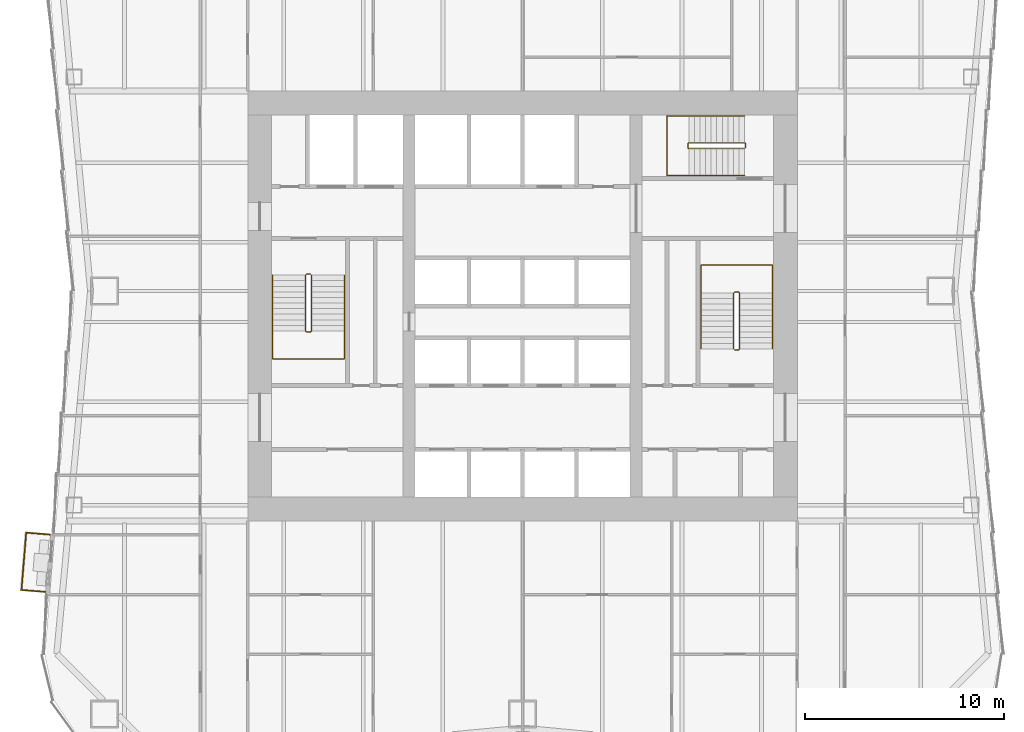
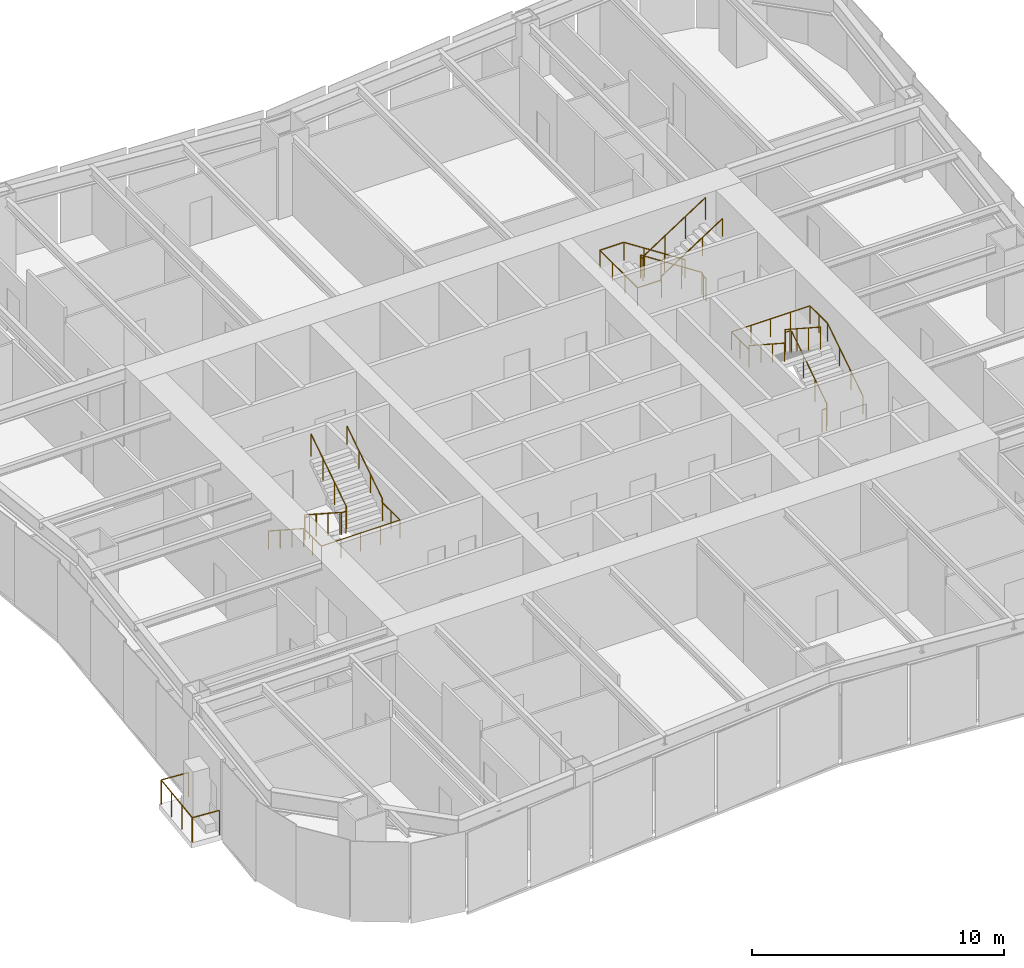
# One storey, part 8 of 9: 7 railings.
"""IFC4 building model written with IfcOpenShell, lengths in metres."""

from ifc_helpers import new_model, si_unit, direction, frame, origin, origin_2d, place, context, subcontext, project, spatial, circle, extrude, material, type_object, element, save


model = new_model("IFC4")

# Units and contexts
model_context = context("Model", 3, precision=1e-05, world=origin(), true_north=direction((0.0, 1.0)))
body_context = subcontext(model_context, "Body", "Model", "MODEL_VIEW")
ifc_project = project(units=[si_unit("LENGTHUNIT", "METRE"), si_unit("AREAUNIT", "SQUARE_METRE"), si_unit("VOLUMEUNIT", "CUBIC_METRE"), si_unit("PLANEANGLEUNIT", "RADIAN"), si_unit("MASSUNIT", "GRAM", prefix="KILO")], contexts=[model_context])

# Site, building, storey
site_placement = place(None, origin())
site = spatial("IfcSite", under=ifc_project, at=site_placement, CompositionType="ELEMENT")
building_placement = place(site_placement, origin())
building = spatial("IfcBuilding", under=site, at=building_placement, Name="Verdant Reach Tower", CompositionType="ELEMENT")
storey_placement = place(building_placement, frame((0.0, 0.0, 102.0)))
storey = spatial("IfcBuildingStorey", under=building, at=storey_placement, Name="L23", CompositionType="ELEMENT", Elevation=102.0)

# Railings
ifc_material_1 = material(Name="Stainless steel", Category="steel")
railing_type_1 = type_object("IfcRailingType", Name="CO-GUARD", PredefinedType="GUARDRAIL", material=ifc_material_1)
railing_1_placement = place(storey_placement, frame((-10.64990234375, 29.60009765625, 0.0)))
element("IfcRailing", 1, at=railing_1_placement, inside=storey, type_object=railing_type_1, Name="L23 ST-1 stair guard 1", PredefinedType="GUARDRAIL", context=body_context, shape_type="SweptSolid", body=[
    extrude(circle(Radius=0.02392578125, at=origin_2d()), frame((0.0, 0.0, 1.076171875), z_axis=(-1.0, 0.0, 0.0), x_axis=(0.0, -1.0, 0.0)), (0.0, 0.0, 1.0), 0.2001953125),
    extrude(circle(Radius=0.02392578125, at=origin_2d()), frame((-0.2001953125, 0.0, 1.076171875), z_axis=(-0.25526617399, -0.256517478764, 0.932222056972), x_axis=(0.708833529934, -0.705375805398, 0.0)), (0.0, 0.0, 1.0), 0.195068359375),
    extrude(circle(Radius=0.02392578125, at=origin_2d()), frame((-0.25, -0.050048828125, 1.2578125), z_axis=(0.0, -0.838705829183, 0.544584733623), x_axis=(1.0, 0.0, 0.0)), (0.0, 0.0, 1.0), 3.338623046875),
    extrude(circle(Radius=0.02392578125, at=origin_2d()), frame((-0.25, -2.85009765625, 3.076171875), z_axis=(0.705375805398, -0.708833529934, 0.0), x_axis=(0.708833529934, 0.705375805398, 0.0)), (0.0, 0.0, 1.0), 0.070556640625),
    extrude(circle(Radius=0.02392578125, at=origin_2d()), frame((-0.2001953125, -2.900146484375, 3.076171875), z_axis=(1.0, 0.0, 0.0), x_axis=(0.0, 1.0, 0.0)), (0.0, 0.0, 1.0), 0.2001953125),
    extrude(circle(Radius=0.02392578125, at=origin_2d()), frame((0.0, -2.900146484375, 3.076171875), z_axis=(0.25526617399, 0.256517478764, 0.932222056972), x_axis=(-0.708833529934, 0.705375805398, 0.0)), (0.0, 0.0, 1.0), 0.195068359375),
    extrude(circle(Radius=0.02392578125, at=origin_2d()), frame((0.0498046875, -2.85009765625, 3.2578125), z_axis=(0.0, 0.838705829183, 0.544584733623), x_axis=(-1.0, 0.0, 0.0)), (0.0, 0.0, 1.0), 3.338623046875),
    extrude(circle(Radius=0.02099609375, at=origin_2d()), origin(), (0.0, 0.0, 1.0), 1.052001953125),
    extrude(circle(Radius=0.02099609375, at=origin_2d()), frame((-0.2001953125, 0.0, 0.0)), (0.0, 0.0, 1.0), 1.052001953125),
    extrude(circle(Radius=0.02099609375, at=origin_2d()), frame((-0.25, -0.050048828125, 0.181884765625)), (0.0, 0.0, 1.0), 1.052001953125),
    extrude(circle(Radius=0.02099609375, at=origin_2d()), frame((-0.25, -0.9833984375, 0.787841796875)), (0.0, 0.0, 1.0), 1.052001953125),
    extrude(circle(Radius=0.02099609375, at=origin_2d()), frame((-0.25, -1.916748046875, 1.39404296875)), (0.0, 0.0, 1.0), 1.052001953125),
    extrude(circle(Radius=0.02099609375, at=origin_2d()), frame((-0.25, -2.85009765625, 2.0)), (0.0, 0.0, 1.0), 1.052001953125),
    extrude(circle(Radius=0.02099609375, at=origin_2d()), frame((-0.2001953125, -2.900146484375, 2.0)), (0.0, 0.0, 1.0), 1.052001953125),
    extrude(circle(Radius=0.02099609375, at=origin_2d()), frame((0.0, -2.900146484375, 2.0)), (0.0, 0.0, 1.0), 1.052001953125),
    extrude(circle(Radius=0.02099609375, at=origin_2d()), frame((0.0498046875, -2.85009765625, 2.181884765625)), (0.0, 0.0, 1.0), 1.052001953125),
    extrude(circle(Radius=0.02099609375, at=origin_2d()), frame((0.0498046875, -1.916748046875, 2.787841796875)), (0.0, 0.0, 1.0), 1.052001953125),
    extrude(circle(Radius=0.02099609375, at=origin_2d()), frame((0.0498046875, -0.9833984375, 3.39404296875)), (0.0, 0.0, 1.0), 1.052001953125),
    extrude(circle(Radius=0.02099609375, at=origin_2d()), frame((0.0498046875, -0.050048828125, 4.0)), (0.0, 0.0, 1.0), 1.052001953125),
])
railing_2_placement = place(storey_placement, frame((10.64990234375, 25.800048828125, 0.0)))
element("IfcRailing", 2, at=railing_2_placement, inside=storey, type_object=railing_type_1, Name="L23 ST-2 stair guard 1", PredefinedType="GUARDRAIL", context=body_context, shape_type="SweptSolid", body=[
    extrude(circle(Radius=0.02392578125, at=origin_2d()), frame((0.0, 0.0, 1.076171875), z_axis=(1.0, 0.0, 0.0), x_axis=(0.0, 1.0, 0.0)), (0.0, 0.0, 1.0), 0.2001953125),
    extrude(circle(Radius=0.02392578125, at=origin_2d()), frame((0.2001953125, 0.0, 1.076171875), z_axis=(0.25526617399, 0.256517478764, 0.932222056972), x_axis=(-0.708833529934, 0.705375805398, 0.0)), (0.0, 0.0, 1.0), 0.195068359375),
    extrude(circle(Radius=0.02392578125, at=origin_2d()), frame((0.25, 0.050048828125, 1.2578125), z_axis=(0.0, 0.83868413941, 0.544618136222), x_axis=(-1.0, 0.0, 0.0)), (0.0, 0.0, 1.0), 3.33837890625),
    extrude(circle(Radius=0.02392578125, at=origin_2d()), frame((0.25, 2.849853515625, 3.076171875), z_axis=(-0.705375805398, 0.708833529934, 0.0), x_axis=(-0.708833529934, -0.705375805398, 0.0)), (0.0, 0.0, 1.0), 0.070556640625),
    extrude(circle(Radius=0.02392578125, at=origin_2d()), frame((0.2001953125, 2.89990234375, 3.076171875), z_axis=(-1.0, 0.0, 0.0), x_axis=(0.0, -1.0, 0.0)), (0.0, 0.0, 1.0), 0.2001953125),
    extrude(circle(Radius=0.02392578125, at=origin_2d()), frame((0.0, 2.89990234375, 3.076171875), z_axis=(-0.25526617399, -0.256517478764, 0.932222056972), x_axis=(0.708833529934, -0.705375805398, 0.0)), (0.0, 0.0, 1.0), 0.195068359375),
    extrude(circle(Radius=0.02392578125, at=origin_2d()), frame((-0.0498046875, 2.849853515625, 3.2578125), z_axis=(0.0, -0.83868413941, 0.544618136222), x_axis=(1.0, 0.0, 0.0)), (0.0, 0.0, 1.0), 3.33837890625),
    extrude(circle(Radius=0.02099609375, at=origin_2d()), origin(), (0.0, 0.0, 1.0), 1.052001953125),
    extrude(circle(Radius=0.02099609375, at=origin_2d()), frame((0.2001953125, 0.0, 0.0)), (0.0, 0.0, 1.0), 1.052001953125),
    extrude(circle(Radius=0.02099609375, at=origin_2d()), frame((0.25, 0.050048828125, 0.181884765625)), (0.0, 0.0, 1.0), 1.052001953125),
    extrude(circle(Radius=0.02099609375, at=origin_2d()), frame((0.25, 0.9833984375, 0.787841796875)), (0.0, 0.0, 1.0), 1.052001953125),
    extrude(circle(Radius=0.02099609375, at=origin_2d()), frame((0.25, 1.91650390625, 1.39404296875)), (0.0, 0.0, 1.0), 1.052001953125),
    extrude(circle(Radius=0.02099609375, at=origin_2d()), frame((0.25, 2.849853515625, 2.0)), (0.0, 0.0, 1.0), 1.052001953125),
    extrude(circle(Radius=0.02099609375, at=origin_2d()), frame((0.2001953125, 2.89990234375, 2.0)), (0.0, 0.0, 1.0), 1.052001953125),
    extrude(circle(Radius=0.02099609375, at=origin_2d()), frame((0.0, 2.89990234375, 2.0)), (0.0, 0.0, 1.0), 1.052001953125),
    extrude(circle(Radius=0.02099609375, at=origin_2d()), frame((-0.0498046875, 2.849853515625, 2.181884765625)), (0.0, 0.0, 1.0), 1.052001953125),
    extrude(circle(Radius=0.02099609375, at=origin_2d()), frame((-0.0498046875, 1.91650390625, 2.787841796875)), (0.0, 0.0, 1.0), 1.052001953125),
    extrude(circle(Radius=0.02099609375, at=origin_2d()), frame((-0.0498046875, 0.9833984375, 3.39404296875)), (0.0, 0.0, 1.0), 1.052001953125),
    extrude(circle(Radius=0.02099609375, at=origin_2d()), frame((-0.0498046875, 0.050048828125, 4.0)), (0.0, 0.0, 1.0), 1.052001953125),
])
railing_3_placement = place(storey_placement, frame((11.199951171875, 35.949951171875, 0.0)))
element("IfcRailing", 3, at=railing_3_placement, inside=storey, type_object=railing_type_1, Name="L23 ST-3 stair guard 1", PredefinedType="GUARDRAIL", context=body_context, shape_type="SweptSolid", body=[
    extrude(circle(Radius=0.02392578125, at=origin_2d()), frame((0.0, 0.0, 1.076171875), z_axis=(0.0, 1.0, 0.0), x_axis=(-1.0, 0.0, 0.0)), (0.0, 0.0, 1.0), 0.199951171875),
    extrude(circle(Radius=0.02392578125, at=origin_2d()), frame((0.0, 0.199951171875, 1.076171875), z_axis=(-0.256435381639, 0.256435381639, 0.931923704005), x_axis=(-0.707106781187, -0.707106781187, 0.0)), (0.0, 0.0, 1.0), 0.195068359375),
    extrude(circle(Radius=0.02392578125, at=origin_2d()), frame((-0.050048828125, 0.25, 1.2578125), z_axis=(-0.83868413941, 0.0, 0.544618136222), x_axis=(0.0, -1.0, 0.0)), (0.0, 0.0, 1.0), 3.33837890625),
    extrude(circle(Radius=0.02392578125, at=origin_2d()), frame((-2.849853515625, 0.25, 3.076171875), z_axis=(-0.707106781187, -0.707106781187, 0.0), x_axis=(0.707106781187, -0.707106781187, 0.0)), (0.0, 0.0, 1.0), 0.07080078125),
    extrude(circle(Radius=0.02392578125, at=origin_2d()), frame((-2.89990234375, 0.199951171875, 3.076171875), z_axis=(0.0, -1.0, 0.0), x_axis=(1.0, 0.0, 0.0)), (0.0, 0.0, 1.0), 0.199951171875),
    extrude(circle(Radius=0.02392578125, at=origin_2d()), frame((-2.89990234375, 0.0, 3.076171875), z_axis=(0.256435381639, -0.256435381639, 0.931923704005), x_axis=(0.707106781187, 0.707106781187, 0.0)), (0.0, 0.0, 1.0), 0.195068359375),
    extrude(circle(Radius=0.02392578125, at=origin_2d()), frame((-2.849853515625, -0.050048828125, 3.2578125), z_axis=(0.83868413941, 0.0, 0.544618136222), x_axis=(0.0, 1.0, 0.0)), (0.0, 0.0, 1.0), 3.33837890625),
    extrude(circle(Radius=0.02099609375, at=origin_2d()), origin(), (0.0, 0.0, 1.0), 1.052001953125),
    extrude(circle(Radius=0.02099609375, at=origin_2d()), frame((0.0, 0.199951171875, 0.0)), (0.0, 0.0, 1.0), 1.052001953125),
    extrude(circle(Radius=0.02099609375, at=origin_2d()), frame((-0.050048828125, 0.25, 0.181884765625)), (0.0, 0.0, 1.0), 1.052001953125),
    extrude(circle(Radius=0.02099609375, at=origin_2d()), frame((-0.9833984375, 0.25, 0.787841796875)), (0.0, 0.0, 1.0), 1.052001953125),
    extrude(circle(Radius=0.02099609375, at=origin_2d()), frame((-1.91650390625, 0.25, 1.39404296875)), (0.0, 0.0, 1.0), 1.052001953125),
    extrude(circle(Radius=0.02099609375, at=origin_2d()), frame((-2.849853515625, 0.25, 2.0)), (0.0, 0.0, 1.0), 1.052001953125),
    extrude(circle(Radius=0.02099609375, at=origin_2d()), frame((-2.89990234375, 0.199951171875, 2.0)), (0.0, 0.0, 1.0), 1.052001953125),
    extrude(circle(Radius=0.02099609375, at=origin_2d()), frame((-2.89990234375, 0.0, 2.0)), (0.0, 0.0, 1.0), 1.052001953125),
    extrude(circle(Radius=0.02099609375, at=origin_2d()), frame((-2.849853515625, -0.050048828125, 2.181884765625)), (0.0, 0.0, 1.0), 1.052001953125),
    extrude(circle(Radius=0.02099609375, at=origin_2d()), frame((-1.91650390625, -0.050048828125, 2.787841796875)), (0.0, 0.0, 1.0), 1.052001953125),
    extrude(circle(Radius=0.02099609375, at=origin_2d()), frame((-0.9833984375, -0.050048828125, 3.39404296875)), (0.0, 0.0, 1.0), 1.052001953125),
    extrude(circle(Radius=0.02099609375, at=origin_2d()), frame((-0.050048828125, -0.050048828125, 4.0)), (0.0, 0.0, 1.0), 1.052001953125),
])
railing_type_2 = type_object("IfcRailingType", Name="CO-HANDRAIL", PredefinedType="HANDRAIL", material=ifc_material_1)
railing_4_placement = place(storey_placement, frame((-12.550048828125, 29.550048828125, 0.181884765625)))
element("IfcRailing", 4, at=railing_4_placement, inside=storey, type_object=railing_type_2, Name="L23 ST-1 stair handrail 1", PredefinedType="HANDRAIL", context=body_context, shape_type="SweptSolid", body=[
    extrude(circle(Radius=0.02392578125, at=origin_2d()), frame((0.0, 0.0, 0.8759765625), z_axis=(0.0, -0.838705829183, 0.544584733623), x_axis=(1.0, 0.0, 0.0)), (0.0, 0.0, 1.0), 3.338623046875),
    extrude(circle(Radius=0.02392578125, at=origin_2d()), frame((0.0, -2.800048828125, 2.69384765625), z_axis=(0.0, -1.0, 0.0), x_axis=(1.0, 0.0, 0.0)), (0.0, 0.0, 1.0), 1.39990234375),
    extrude(circle(Radius=0.02392578125, at=origin_2d()), frame((0.0, -4.199951171875, 2.69384765625), z_axis=(1.0, 0.0, 0.0), x_axis=(0.0, 1.0, 0.0)), (0.0, 0.0, 1.0), 3.60009765625),
    extrude(circle(Radius=0.02392578125, at=origin_2d()), frame((3.60009765625, -4.199951171875, 2.69384765625), z_axis=(0.0, 1.0, 0.0), x_axis=(-1.0, 0.0, 0.0)), (0.0, 0.0, 1.0), 1.39990234375),
    extrude(circle(Radius=0.02392578125, at=origin_2d()), frame((3.60009765625, -2.800048828125, 2.69384765625), z_axis=(0.0, 0.0, 1.0), x_axis=(1.0, 0.0, 0.0)), (0.0, 0.0, 1.0), 0.181884765625),
    extrude(circle(Radius=0.02392578125, at=origin_2d()), frame((3.60009765625, -2.800048828125, 2.8759765625), z_axis=(0.0, 0.838705829183, 0.544584733623), x_axis=(-1.0, 0.0, 0.0)), (0.0, 0.0, 1.0), 3.338623046875),
    extrude(circle(Radius=0.02099609375, at=origin_2d()), origin(), (0.0, 0.0, 1.0), 0.851806640625),
    extrude(circle(Radius=0.02099609375, at=origin_2d()), frame((0.0, -0.933349609375, 0.60595703125)), (0.0, 0.0, 1.0), 0.851806640625),
    extrude(circle(Radius=0.02099609375, at=origin_2d()), frame((0.0, -1.86669921875, 1.212158203125)), (0.0, 0.0, 1.0), 0.851806640625),
    extrude(circle(Radius=0.02099609375, at=origin_2d()), frame((0.0, -2.800048828125, 1.818115234375)), (0.0, 0.0, 1.0), 0.851806640625),
    extrude(circle(Radius=0.02099609375, at=origin_2d()), frame((0.0, -3.5, 1.818115234375)), (0.0, 0.0, 1.0), 0.851806640625),
    extrude(circle(Radius=0.02099609375, at=origin_2d()), frame((0.0, -4.199951171875, 1.818115234375)), (0.0, 0.0, 1.0), 0.851806640625),
    extrude(circle(Radius=0.02099609375, at=origin_2d()), frame((0.89990234375, -4.199951171875, 1.818115234375)), (0.0, 0.0, 1.0), 0.851806640625),
    extrude(circle(Radius=0.02099609375, at=origin_2d()), frame((1.800048828125, -4.199951171875, 1.818115234375)), (0.0, 0.0, 1.0), 0.851806640625),
    extrude(circle(Radius=0.02099609375, at=origin_2d()), frame((2.7001953125, -4.199951171875, 1.818115234375)), (0.0, 0.0, 1.0), 0.851806640625),
    extrude(circle(Radius=0.02099609375, at=origin_2d()), frame((3.60009765625, -4.199951171875, 1.818115234375)), (0.0, 0.0, 1.0), 0.851806640625),
    extrude(circle(Radius=0.02099609375, at=origin_2d()), frame((3.60009765625, -3.5, 1.818115234375)), (0.0, 0.0, 1.0), 0.851806640625),
    extrude(circle(Radius=0.02099609375, at=origin_2d()), frame((3.60009765625, -2.800048828125, 1.818115234375)), (0.0, 0.0, 1.0), 0.851806640625),
    extrude(circle(Radius=0.02099609375, at=origin_2d()), frame((3.60009765625, -2.800048828125, 2.0)), (0.0, 0.0, 1.0), 0.851806640625),
    extrude(circle(Radius=0.02099609375, at=origin_2d()), frame((3.60009765625, -1.86669921875, 2.60595703125)), (0.0, 0.0, 1.0), 0.851806640625),
    extrude(circle(Radius=0.02099609375, at=origin_2d()), frame((3.60009765625, -0.933349609375, 3.212158203125)), (0.0, 0.0, 1.0), 0.851806640625),
    extrude(circle(Radius=0.02099609375, at=origin_2d()), frame((3.60009765625, 0.0, 3.818115234375)), (0.0, 0.0, 1.0), 0.851806640625),
])
railing_5_placement = place(storey_placement, frame((12.550048828125, 25.85009765625, 0.181884765625)))
element("IfcRailing", 5, at=railing_5_placement, inside=storey, type_object=railing_type_2, Name="L23 ST-2 stair handrail 1", PredefinedType="HANDRAIL", context=body_context, shape_type="SweptSolid", body=[
    extrude(circle(Radius=0.02392578125, at=origin_2d()), frame((0.0, 0.0, 0.8759765625), z_axis=(0.0, 0.83868413941, 0.544618136222), x_axis=(-1.0, 0.0, 0.0)), (0.0, 0.0, 1.0), 3.33837890625),
    extrude(circle(Radius=0.02392578125, at=origin_2d()), frame((0.0, 2.7998046875, 2.69384765625), z_axis=(0.0, 1.0, 0.0), x_axis=(-1.0, 0.0, 0.0)), (0.0, 0.0, 1.0), 1.400146484375),
    extrude(circle(Radius=0.02392578125, at=origin_2d()), frame((0.0, 4.199951171875, 2.69384765625), z_axis=(-1.0, 0.0, 0.0), x_axis=(0.0, -1.0, 0.0)), (0.0, 0.0, 1.0), 3.60009765625),
    extrude(circle(Radius=0.02392578125, at=origin_2d()), frame((-3.60009765625, 4.199951171875, 2.69384765625), z_axis=(0.0, -1.0, 0.0), x_axis=(1.0, 0.0, 0.0)), (0.0, 0.0, 1.0), 1.400146484375),
    extrude(circle(Radius=0.02392578125, at=origin_2d()), frame((-3.60009765625, 2.7998046875, 2.69384765625), z_axis=(0.0, 0.0, 1.0), x_axis=(1.0, 0.0, 0.0)), (0.0, 0.0, 1.0), 0.181884765625),
    extrude(circle(Radius=0.02392578125, at=origin_2d()), frame((-3.60009765625, 2.7998046875, 2.8759765625), z_axis=(0.0, -0.83868413941, 0.544618136222), x_axis=(1.0, 0.0, 0.0)), (0.0, 0.0, 1.0), 3.33837890625),
    extrude(circle(Radius=0.02099609375, at=origin_2d()), origin(), (0.0, 0.0, 1.0), 0.851806640625),
    extrude(circle(Radius=0.02099609375, at=origin_2d()), frame((0.0, 0.933349609375, 0.60595703125)), (0.0, 0.0, 1.0), 0.851806640625),
    extrude(circle(Radius=0.02099609375, at=origin_2d()), frame((0.0, 1.866455078125, 1.212158203125)), (0.0, 0.0, 1.0), 0.851806640625),
    extrude(circle(Radius=0.02099609375, at=origin_2d()), frame((0.0, 2.7998046875, 1.818115234375)), (0.0, 0.0, 1.0), 0.851806640625),
    extrude(circle(Radius=0.02099609375, at=origin_2d()), frame((0.0, 3.5, 1.818115234375)), (0.0, 0.0, 1.0), 0.851806640625),
    extrude(circle(Radius=0.02099609375, at=origin_2d()), frame((0.0, 4.199951171875, 1.818115234375)), (0.0, 0.0, 1.0), 0.851806640625),
    extrude(circle(Radius=0.02099609375, at=origin_2d()), frame((-0.89990234375, 4.199951171875, 1.818115234375)), (0.0, 0.0, 1.0), 0.851806640625),
    extrude(circle(Radius=0.02099609375, at=origin_2d()), frame((-1.800048828125, 4.199951171875, 1.818115234375)), (0.0, 0.0, 1.0), 0.851806640625),
    extrude(circle(Radius=0.02099609375, at=origin_2d()), frame((-2.7001953125, 4.199951171875, 1.818115234375)), (0.0, 0.0, 1.0), 0.851806640625),
    extrude(circle(Radius=0.02099609375, at=origin_2d()), frame((-3.60009765625, 4.199951171875, 1.818115234375)), (0.0, 0.0, 1.0), 0.851806640625),
    extrude(circle(Radius=0.02099609375, at=origin_2d()), frame((-3.60009765625, 3.5, 1.818115234375)), (0.0, 0.0, 1.0), 0.851806640625),
    extrude(circle(Radius=0.02099609375, at=origin_2d()), frame((-3.60009765625, 2.7998046875, 1.818115234375)), (0.0, 0.0, 1.0), 0.851806640625),
    extrude(circle(Radius=0.02099609375, at=origin_2d()), frame((-3.60009765625, 2.7998046875, 2.0)), (0.0, 0.0, 1.0), 0.851806640625),
    extrude(circle(Radius=0.02099609375, at=origin_2d()), frame((-3.60009765625, 1.866455078125, 2.60595703125)), (0.0, 0.0, 1.0), 0.851806640625),
    extrude(circle(Radius=0.02099609375, at=origin_2d()), frame((-3.60009765625, 0.933349609375, 3.212158203125)), (0.0, 0.0, 1.0), 0.851806640625),
    extrude(circle(Radius=0.02099609375, at=origin_2d()), frame((-3.60009765625, 0.0, 3.818115234375)), (0.0, 0.0, 1.0), 0.851806640625),
])
railing_6_placement = place(storey_placement, frame((11.14990234375, 37.550048828125, 0.181884765625)))
element("IfcRailing", 6, at=railing_6_placement, inside=storey, type_object=railing_type_2, Name="L23 ST-3 stair handrail 1", PredefinedType="HANDRAIL", context=body_context, shape_type="SweptSolid", body=[
    extrude(circle(Radius=0.02392578125, at=origin_2d()), frame((0.0, 0.0, 0.8759765625), z_axis=(-0.83868413941, 0.0, 0.544618136222), x_axis=(0.0, -1.0, 0.0)), (0.0, 0.0, 1.0), 3.33837890625),
    extrude(circle(Radius=0.02392578125, at=origin_2d()), frame((-2.7998046875, 0.0, 2.69384765625), z_axis=(-1.0, 0.0, 0.0), x_axis=(0.0, -1.0, 0.0)), (0.0, 0.0, 1.0), 1.10009765625),
    extrude(circle(Radius=0.02392578125, at=origin_2d()), frame((-3.89990234375, 0.0, 2.69384765625), z_axis=(0.0, -1.0, 0.0), x_axis=(1.0, 0.0, 0.0)), (0.0, 0.0, 1.0), 3.0),
    extrude(circle(Radius=0.02392578125, at=origin_2d()), frame((-3.89990234375, -3.0, 2.69384765625), z_axis=(1.0, 0.0, 0.0), x_axis=(0.0, 1.0, 0.0)), (0.0, 0.0, 1.0), 1.10009765625),
    extrude(circle(Radius=0.02392578125, at=origin_2d()), frame((-2.7998046875, -3.0, 2.69384765625), z_axis=(0.0, 0.0, 1.0), x_axis=(1.0, 0.0, 0.0)), (0.0, 0.0, 1.0), 0.181884765625),
    extrude(circle(Radius=0.02392578125, at=origin_2d()), frame((-2.7998046875, -3.0, 2.8759765625), z_axis=(0.83868413941, 0.0, 0.544618136222), x_axis=(0.0, 1.0, 0.0)), (0.0, 0.0, 1.0), 3.33837890625),
    extrude(circle(Radius=0.02099609375, at=origin_2d()), origin(), (0.0, 0.0, 1.0), 0.851806640625),
    extrude(circle(Radius=0.02099609375, at=origin_2d()), frame((-0.933349609375, 0.0, 0.60595703125)), (0.0, 0.0, 1.0), 0.851806640625),
    extrude(circle(Radius=0.02099609375, at=origin_2d()), frame((-1.866455078125, 0.0, 1.212158203125)), (0.0, 0.0, 1.0), 0.851806640625),
    extrude(circle(Radius=0.02099609375, at=origin_2d()), frame((-2.7998046875, 0.0, 1.818115234375)), (0.0, 0.0, 1.0), 0.851806640625),
    extrude(circle(Radius=0.02099609375, at=origin_2d()), frame((-3.89990234375, 0.0, 1.818115234375)), (0.0, 0.0, 1.0), 0.851806640625),
    extrude(circle(Radius=0.02099609375, at=origin_2d()), frame((-3.89990234375, -1.0, 1.818115234375)), (0.0, 0.0, 1.0), 0.851806640625),
    extrude(circle(Radius=0.02099609375, at=origin_2d()), frame((-3.89990234375, -2.0, 1.818115234375)), (0.0, 0.0, 1.0), 0.851806640625),
    extrude(circle(Radius=0.02099609375, at=origin_2d()), frame((-3.89990234375, -3.0, 1.818115234375)), (0.0, 0.0, 1.0), 0.851806640625),
    extrude(circle(Radius=0.02099609375, at=origin_2d()), frame((-2.7998046875, -3.0, 1.818115234375)), (0.0, 0.0, 1.0), 0.851806640625),
    extrude(circle(Radius=0.02099609375, at=origin_2d()), frame((-2.7998046875, -3.0, 2.0)), (0.0, 0.0, 1.0), 0.851806640625),
    extrude(circle(Radius=0.02099609375, at=origin_2d()), frame((-1.866455078125, -3.0, 2.60595703125)), (0.0, 0.0, 1.0), 0.851806640625),
    extrude(circle(Radius=0.02099609375, at=origin_2d()), frame((-0.933349609375, -3.0, 3.212158203125)), (0.0, 0.0, 1.0), 0.851806640625),
    extrude(circle(Radius=0.02099609375, at=origin_2d()), frame((0.0, -3.0, 3.818115234375)), (0.0, 0.0, 1.0), 0.851806640625),
])
ifc_material_2 = material(Name="Stainless steel and laminated glass balustrade", Category="steel")
railing_type_3 = type_object("IfcRailingType", Name="EN-RAILING BALCONY", PredefinedType="GUARDRAIL", material=ifc_material_2)
railing_7_placement = place(storey_placement, frame((-23.741943359375, 16.52197265625, 0.0)))
element("IfcRailing", 7, at=railing_7_placement, inside=storey, type_object=railing_type_3, Name="Balcony guard 1, L23", PredefinedType="GUARDRAIL", context=body_context, shape_type="SweptSolid", body=[
    extrude(circle(Radius=0.02490234375, at=origin_2d()), frame((0.0, 0.0, 1.1748046875), z_axis=(-0.996649328179, 0.081793133211, 0.0), x_axis=(-0.081793133211, -0.996649328179, 0.0)), (0.0, 0.0, 1.0), 1.19384765625),
    extrude(circle(Radius=0.02490234375, at=origin_2d()), frame((-1.18994140625, 0.09765625, 1.1748046875), z_axis=(-0.081863827639, -0.996643523896, 0.0), x_axis=(0.996643523896, -0.081863827639, 0.0)), (0.0, 0.0, 1.0), 2.889892578125),
    extrude(circle(Radius=0.02490234375, at=origin_2d()), frame((-1.426513671875, -2.782470703125, 1.1748046875), z_axis=(0.996649328179, -0.081793133211, 0.0), x_axis=(0.081793133211, 0.996649328179, 0.0)), (0.0, 0.0, 1.0), 1.19384765625),
    extrude(circle(Radius=0.02490234375, at=origin_2d()), origin(), (0.0, 0.0, 1.0), 1.14990234375),
    extrude(circle(Radius=0.02490234375, at=origin_2d()), frame((-1.18994140625, 0.09765625, 0.0)), (0.0, 0.0, 1.0), 1.14990234375),
    extrude(circle(Radius=0.02490234375, at=origin_2d()), frame((-1.268798828125, -0.8623046875, 0.0)), (0.0, 0.0, 1.0), 1.14990234375),
    extrude(circle(Radius=0.02490234375, at=origin_2d()), frame((-1.34765625, -1.822509765625, 0.0)), (0.0, 0.0, 1.0), 1.14990234375),
    extrude(circle(Radius=0.02490234375, at=origin_2d()), frame((-1.426513671875, -2.782470703125, 0.0)), (0.0, 0.0, 1.0), 1.14990234375),
    extrude(circle(Radius=0.02490234375, at=origin_2d()), frame((-0.236572265625, -2.880126953125, 0.0)), (0.0, 0.0, 1.0), 1.14990234375),
])

save(model, "model.ifc")
